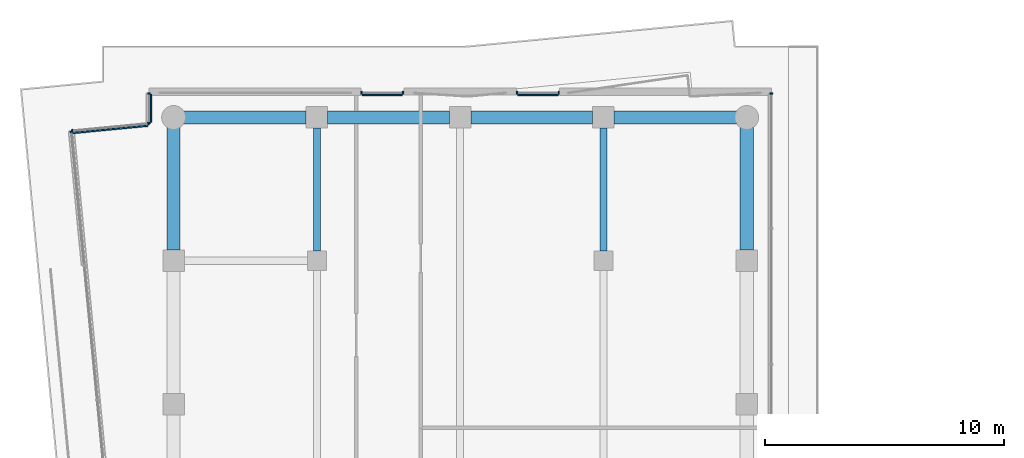
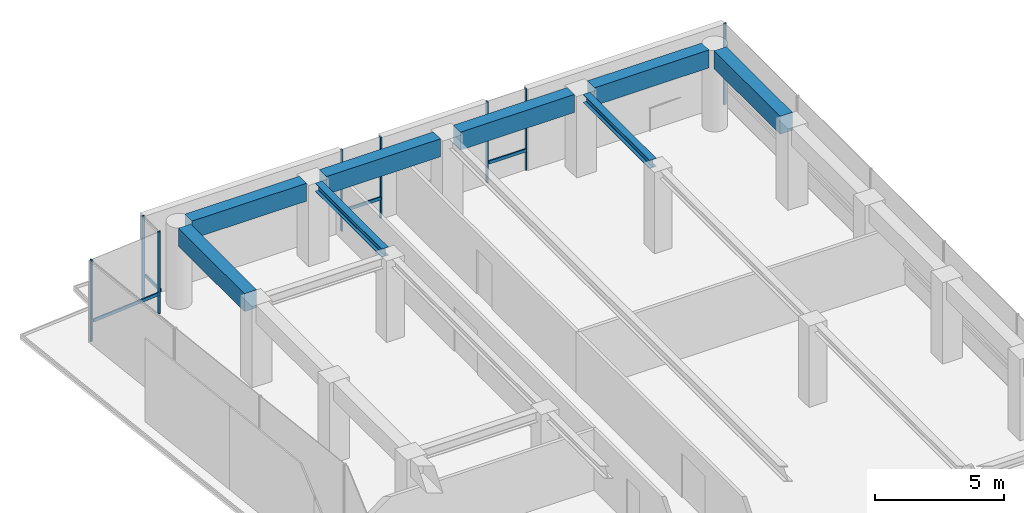
# One storey, part 16 of 23: 14 members, 8 beams, 6 elements without a shape of their own.
"""IFC4 building model written with IfcOpenShell, lengths in metres."""

from ifc_helpers import new_model, si_unit, direction, frame, origin, origin_2d, place, context, subcontext, project, spatial, rectangle, i_section, extrude, material, layer, layer_set, material_profile, profile_set, type_object, element, aggregate, save


model = new_model("IFC4")

# Units and contexts
model_context = context("Model", 3, precision=1e-05, world=origin(), true_north=direction((0.0, 1.0)))
body_context = subcontext(model_context, "Body", "Model", "MODEL_VIEW")
ifc_project = project(units=[si_unit("LENGTHUNIT", "METRE"), si_unit("AREAUNIT", "SQUARE_METRE"), si_unit("VOLUMEUNIT", "CUBIC_METRE"), si_unit("PLANEANGLEUNIT", "RADIAN"), si_unit("MASSUNIT", "GRAM", prefix="KILO")], contexts=[model_context])

# Site, building, storey
site_placement = place(None, origin())
site = spatial("IfcSite", under=ifc_project, at=site_placement, CompositionType="ELEMENT")
building_placement = place(site_placement, origin())
building = spatial("IfcBuilding", under=site, at=building_placement, Name="Welwitschia Terrace Campus", CompositionType="ELEMENT")
storey_placement = place(building_placement, frame((0.0, 0.0, 205.39990234375)))
storey = spatial("IfcBuildingStorey", under=building, at=storey_placement, Name="L45", CompositionType="ELEMENT", Elevation=205.39990234375)

# Beams
ifc_material_1 = material(Name="Steel S355", Category="steel")
ifc_material_profile_1 = material_profile(ifc_material_1, i_section(OverallWidth=0.300048828125, OverallDepth=0.389892578125, WebThickness=0.010986328125, FlangeThickness=0.01904296875, FilletRadius=0.027099609375, at=origin_2d()))
ifc_profile_set_1 = profile_set([ifc_material_profile_1], Name="Steel S355")
beam_type_1 = type_object("IfcBeamType", Name="Interior girder HE 400 A", PredefinedType="BEAM", material=ifc_profile_set_1)
for number, where, z_axis, x_axis, name in (
    (1, (6.0, 64.400390625, 3.655029296875), (0.0, 1.0, 0.0), (-1.0, 0.0, 0.0), "Girder GB5"),
    (2, (18.0, 64.400390625, 3.655029296875), (0.0, 1.0, 0.0), (-1.0, 0.0, 0.0), "Girder GB5"),
):
    element("IfcBeam", number, at=place(storey_placement, frame(where, z_axis=z_axis, x_axis=x_axis)), inside=storey, type_object=beam_type_1, Name=name, PredefinedType="BEAM", context=body_context, shape_type="SweptSolid", body=[
        extrude(i_section(OverallWidth=0.300048828125, OverallDepth=0.389892578125, WebThickness=0.010986328125, FlangeThickness=0.01904296875, FilletRadius=0.027099609375, at=origin_2d()), origin(), (0.0, 0.0, 1.0), 5.1591796875),
    ])

# Curtain wall, member
ifc_material_2 = material(Name="Bronze anodised aluminium", Category="aluminium")
ifc_layer = layer(ifc_material_2, 0.1201171875)
ifc_layer_set = layer_set([ifc_layer], Name="Bronze anodised aluminium")
curtain_wall_type = type_object("IfcCurtainWallType", Name="Curtain wall CW2 tower 6000", PredefinedType="NOTDEFINED", material=ifc_layer_set)
curtain_wall_1_placement = place(storey_placement, origin())
curtain_wall_1 = element("IfcCurtainWall", 3, at=curtain_wall_1_placement, inside=storey, type_object=curtain_wall_type, Name="CW L45.7.0", PredefinedType="NOTDEFINED")
ifc_material_3 = material(Name="Bronze anodised aluminium", Category="aluminium")
ifc_material_profile_2 = material_profile(ifc_material_3, rectangle(XDim=0.1201171875, YDim=0.06005859375, at=origin_2d()))
ifc_profile_set_2 = profile_set([ifc_material_profile_2], Name="Bronze anodised aluminium")
member_type_1 = type_object("IfcMemberType", Name="Mullion 60x120", PredefinedType="MULLION", material=ifc_profile_set_2)
member_1_placement = place(storey_placement, frame((25.030029296875, 71.0, 0.0), z_axis=(0.0, 0.0, 1.0), x_axis=(-1.0, 0.0, 0.0)))
member_1 = element("IfcMember", 4, at=member_1_placement, type_object=member_type_1, Name="Mullion L45.7.0.6", PredefinedType="MULLION", context=body_context, shape_type="SweptSolid", body=[
    extrude(rectangle(XDim=0.1201171875, YDim=0.06005859375, at=origin_2d()), origin(), (0.0, 0.0, 1.0), 3.85009765625),
])
aggregate(curtain_wall_1, [member_1])

# Curtain wall, members
curtain_wall_2_placement = place(storey_placement, origin())
curtain_wall_2 = element("IfcCurtainWall", 5, at=curtain_wall_2_placement, inside=storey, type_object=curtain_wall_type, Name="CW L45.8.S0", PredefinedType="NOTDEFINED")
member_2_placement = place(storey_placement, frame((16.12744140625, 71.030029296875, 0.0), z_axis=(0.0, 0.0, 1.0), x_axis=(0.0, -1.0, 0.0)))
member_2 = element("IfcMember", 6, at=member_2_placement, type_object=member_type_1, Name="Mullion L45.8.S0.0", PredefinedType="MULLION", context=body_context, shape_type="SweptSolid", body=[
    extrude(rectangle(XDim=0.1201171875, YDim=0.06005859375, at=origin_2d()), origin(), (0.0, 0.0, 1.0), 3.85009765625),
])
member_3_placement = place(storey_placement, frame((14.387451171875, 71.030029296875, 0.0), z_axis=(0.0, 0.0, 1.0), x_axis=(0.0, -1.0, 0.0)))
member_3 = element("IfcMember", 7, at=member_3_placement, type_object=member_type_1, Name="Mullion L45.8.S0.1", PredefinedType="MULLION", context=body_context, shape_type="SweptSolid", body=[
    extrude(rectangle(XDim=0.1201171875, YDim=0.06005859375, at=origin_2d()), origin(), (0.0, 0.0, 1.0), 3.85009765625),
])

curtain_wall_3_placement = place(storey_placement, origin())
curtain_wall_3 = element("IfcCurtainWall", 8, at=curtain_wall_3_placement, inside=storey, type_object=curtain_wall_type, Name="CW L45.8.S1", PredefinedType="NOTDEFINED")
member_4_placement = place(storey_placement, frame((9.612548828125, 71.030029296875, 0.0), z_axis=(0.0, 0.0, 1.0), x_axis=(0.0, -1.0, 0.0)))
member_4 = element("IfcMember", 9, at=member_4_placement, type_object=member_type_1, Name="Mullion L45.8.S1.0", PredefinedType="MULLION", context=body_context, shape_type="SweptSolid", body=[
    extrude(rectangle(XDim=0.1201171875, YDim=0.06005859375, at=origin_2d()), origin(), (0.0, 0.0, 1.0), 3.85009765625),
])
member_5_placement = place(storey_placement, frame((7.87255859375, 71.030029296875, 0.0), z_axis=(0.0, 0.0, 1.0), x_axis=(0.0, -1.0, 0.0)))
member_5 = element("IfcMember", 10, at=member_5_placement, type_object=member_type_1, Name="Mullion L45.8.S1.1", PredefinedType="MULLION", context=body_context, shape_type="SweptSolid", body=[
    extrude(rectangle(XDim=0.1201171875, YDim=0.06005859375, at=origin_2d()), origin(), (0.0, 0.0, 1.0), 3.85009765625),
])

curtain_wall_4_placement = place(storey_placement, origin())
curtain_wall_4 = element("IfcCurtainWall", 11, at=curtain_wall_4_placement, inside=storey, type_object=curtain_wall_type, Name="CW L45.9.0", PredefinedType="NOTDEFINED")
member_6_placement = place(storey_placement, frame((-1.030029296875, 71.0, 0.0), z_axis=(0.0, 0.0, 1.0), x_axis=(1.0, 0.0, 0.0)))
member_6 = element("IfcMember", 12, at=member_6_placement, type_object=member_type_1, Name="Mullion L45.9.0.0", PredefinedType="MULLION", context=body_context, shape_type="SweptSolid", body=[
    extrude(rectangle(XDim=0.1201171875, YDim=0.06005859375, at=origin_2d()), origin(), (0.0, 0.0, 1.0), 3.85009765625),
])
member_7_placement = place(storey_placement, frame((-1.030029296875, 69.775634765625, 0.0), z_axis=(0.0, 0.0, 1.0), x_axis=(1.0, 0.0, 0.0)))
member_7 = element("IfcMember", 13, at=member_7_placement, type_object=member_type_1, Name="Mullion L45.9.0.1", PredefinedType="MULLION", context=body_context, shape_type="SweptSolid", body=[
    extrude(rectangle(XDim=0.1201171875, YDim=0.06005859375, at=origin_2d()), origin(), (0.0, 0.0, 1.0), 3.85009765625),
])

curtain_wall_5_placement = place(storey_placement, origin())
curtain_wall_5 = element("IfcCurtainWall", 14, at=curtain_wall_5_placement, inside=storey, type_object=curtain_wall_type, Name="CW L45.10.0", PredefinedType="NOTDEFINED")
member_8_placement = place(storey_placement, frame((-1.059814453125, 69.74267578125, 0.0), z_axis=(0.0, 0.0, 1.0), x_axis=(0.09584575252, -0.995396198367, 0.0)))
member_8 = element("IfcMember", 15, at=member_8_placement, type_object=member_type_1, Name="Mullion L45.10.0.0", PredefinedType="MULLION", context=body_context, shape_type="SweptSolid", body=[
    extrude(rectangle(XDim=0.1201171875, YDim=0.06005859375, at=origin_2d()), origin(), (0.0, 0.0, 1.0), 3.85009765625),
])
member_9_placement = place(storey_placement, frame((-4.25146484375, 69.435302734375, 0.0), z_axis=(0.0, 0.0, 1.0), x_axis=(0.09584575252, -0.995396198367, 0.0)))
member_9 = element("IfcMember", 16, at=member_9_placement, type_object=member_type_1, Name="Mullion L45.10.0.1", PredefinedType="MULLION", context=body_context, shape_type="SweptSolid", body=[
    extrude(rectangle(XDim=0.1201171875, YDim=0.06005859375, at=origin_2d()), origin(), (0.0, 0.0, 1.0), 3.85009765625),
])

# Curtain wall, member
curtain_wall_6_placement = place(storey_placement, origin())
curtain_wall_6 = element("IfcCurtainWall", 17, at=curtain_wall_6_placement, inside=storey, type_object=curtain_wall_type, Name="CW L45.11.0", PredefinedType="NOTDEFINED")
member_10_placement = place(storey_placement, frame((-4.2783203125, 69.402587890625, 0.0), z_axis=(0.0, 0.0, 1.0), x_axis=(0.995396198367, 0.09584575252, 0.0)))
member_10 = element("IfcMember", 18, at=member_10_placement, type_object=member_type_1, Name="Mullion L45.11.0.0", PredefinedType="MULLION", context=body_context, shape_type="SweptSolid", body=[
    extrude(rectangle(XDim=0.1201171875, YDim=0.06005859375, at=origin_2d()), origin(), (0.0, 0.0, 1.0), 3.85009765625),
])
aggregate(curtain_wall_6, [member_10])

# Beams
ifc_material_4 = material(Name="Concrete C50/60", Category="concrete")
ifc_material_profile_3 = material_profile(ifc_material_4, rectangle(XDim=0.550048828125, YDim=0.85009765625, at=origin_2d()))
ifc_profile_set_3 = profile_set([ifc_material_profile_3], Name="Concrete C50/60")
beam_type_2 = type_object("IfcBeamType", Name="Ring spandrel 550x850", PredefinedType="SPANDREL", material=ifc_profile_set_3)
for number, where, z_axis, x_axis, name in (
    (19, (24.0, 64.450439453125, 3.425048828125), (0.0, 1.0, 0.0), (-1.0, 0.0, 0.0), "Spandrel SP3"),
    (20, (23.58154296875, 70.0, 3.425048828125), (-1.0, 0.0, 0.0), (0.0, -1.0, 0.0), "Spandrel SP3"),
):
    element("IfcBeam", number, at=place(storey_placement, frame(where, z_axis=z_axis, x_axis=x_axis)), inside=storey, type_object=beam_type_2, Name=name, PredefinedType="SPANDREL", context=body_context, shape_type="SweptSolid", body=[
        extrude(rectangle(XDim=0.550048828125, YDim=0.85009765625, at=origin_2d()), origin(), (0.0, 0.0, 1.0), 5.131103515625),
    ])
for number, where, z_axis, x_axis, name in (
    (21, (17.549560546875, 70.0, 3.425048828125), (-1.0, 0.0, 0.0), (0.0, -1.0, 0.0), "Spandrel SP3"),
    (22, (11.549560546875, 70.0, 3.425048828125), (-1.0, 0.0, 0.0), (0.0, -1.0, 0.0), "Spandrel SP3"),
):
    element("IfcBeam", number, at=place(storey_placement, frame(where, z_axis=z_axis, x_axis=x_axis)), inside=storey, type_object=beam_type_2, Name=name, PredefinedType="SPANDREL", context=body_context, shape_type="SweptSolid", body=[
        extrude(rectangle(XDim=0.550048828125, YDim=0.85009765625, at=origin_2d()), origin(), (0.0, 0.0, 1.0), 5.09912109375),
    ])
for number, where, z_axis, x_axis, name in (
    (23, (5.549560546875, 70.0, 3.425048828125), (-1.0, 0.0, 0.0), (0.0, -1.0, 0.0), "Spandrel SP3"),
    (24, (0.0, 69.58154296875, 3.425048828125), (0.0, -1.0, 0.0), (1.0, 0.0, 0.0), "Spandrel SP3"),
):
    element("IfcBeam", number, at=place(storey_placement, frame(where, z_axis=z_axis, x_axis=x_axis)), inside=storey, type_object=beam_type_2, Name=name, PredefinedType="SPANDREL", context=body_context, shape_type="SweptSolid", body=[
        extrude(rectangle(XDim=0.550048828125, YDim=0.85009765625, at=origin_2d()), origin(), (0.0, 0.0, 1.0), 5.131103515625),
    ])

# Member
ifc_material_5 = material(Name="Bronze anodised aluminium", Category="aluminium")
ifc_material_profile_4 = material_profile(ifc_material_5, rectangle(XDim=0.06005859375, YDim=0.14990234375, at=origin_2d()))
ifc_profile_set_4 = profile_set([ifc_material_profile_4], Name="Bronze anodised aluminium")
member_type_2 = type_object("IfcMemberType", Name="Transom 60x150", PredefinedType="USERDEFINED", material=ifc_profile_set_4)
member_11_placement = place(storey_placement, frame((16.097412109375, 70.93994140625, 1.0), z_axis=(-1.0, 0.0, 0.0), x_axis=(0.0, -1.0, 0.0)))
member_11 = element("IfcMember", 25, at=member_11_placement, type_object=member_type_2, Name="Transom L45.8.S0", ObjectType="TRANSOM", PredefinedType="USERDEFINED", context=body_context, shape_type="SweptSolid", body=[
    extrude(rectangle(XDim=0.06005859375, YDim=0.14990234375, at=origin_2d()), origin(), (0.0, 0.0, 1.0), 1.679931640625),
])

aggregate(curtain_wall_2, [member_2, member_3, member_11])

member_12_placement = place(storey_placement, frame((9.58251953125, 70.93994140625, 1.0), z_axis=(-1.0, 0.0, 0.0), x_axis=(0.0, -1.0, 0.0)))
member_12 = element("IfcMember", 26, at=member_12_placement, type_object=member_type_2, Name="Transom L45.8.S1", ObjectType="TRANSOM", PredefinedType="USERDEFINED", context=body_context, shape_type="SweptSolid", body=[
    extrude(rectangle(XDim=0.06005859375, YDim=0.14990234375, at=origin_2d()), origin(), (0.0, 0.0, 1.0), 1.679931640625),
])

aggregate(curtain_wall_3, [member_4, member_5, member_12])

member_13_placement = place(storey_placement, frame((-0.93994140625, 70.969970703125, 1.0), z_axis=(0.0, -1.0, 0.0), x_axis=(1.0, 0.0, 0.0)))
member_13 = element("IfcMember", 27, at=member_13_placement, type_object=member_type_2, Name="Transom L45.9.0", ObjectType="TRANSOM", PredefinedType="USERDEFINED", context=body_context, shape_type="SweptSolid", body=[
    extrude(rectangle(XDim=0.06005859375, YDim=0.14990234375, at=origin_2d()), origin(), (0.0, 0.0, 1.0), 1.164306640625),
])

aggregate(curtain_wall_4, [member_6, member_7, member_13])

member_14_placement = place(storey_placement, frame((-1.0810546875, 69.650146484375, 1.0), z_axis=(-0.995397648573, -0.095830690364, 0.0), x_axis=(0.095830690364, -0.995397648573, 0.0)))
member_14 = element("IfcMember", 28, at=member_14_placement, type_object=member_type_2, Name="Transom L45.10.0", ObjectType="TRANSOM", PredefinedType="USERDEFINED", context=body_context, shape_type="SweptSolid", body=[
    extrude(rectangle(XDim=0.06005859375, YDim=0.14990234375, at=origin_2d()), origin(), (0.0, 0.0, 1.0), 3.146240234375),
])

aggregate(curtain_wall_5, [member_8, member_9, member_14])

save(model, "model.ifc")
